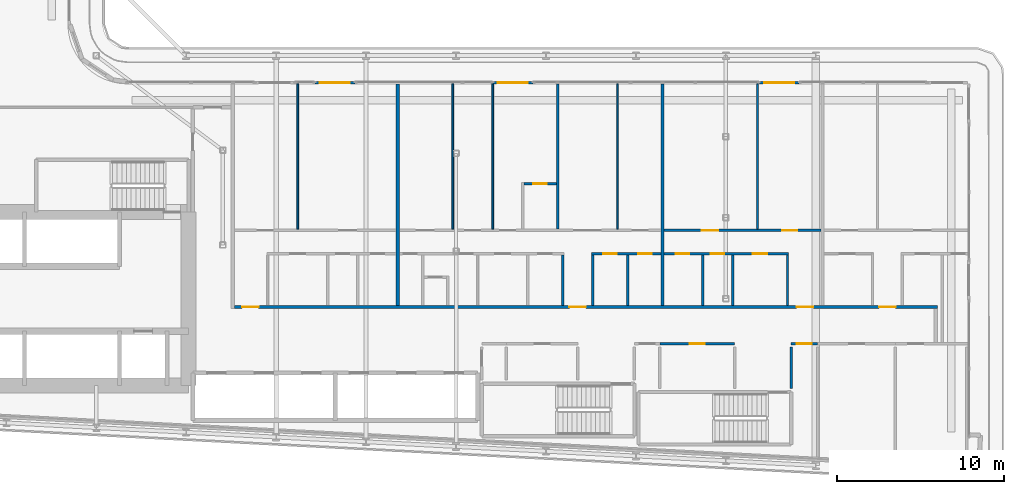
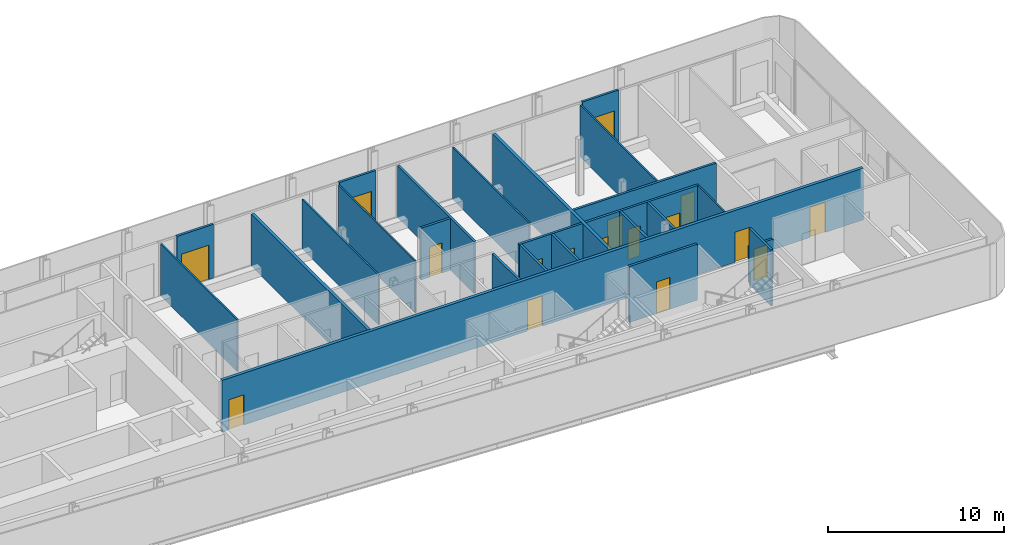
# One storey, part 16 of 28: 25 walls, 17 doors, 17 openings.
"""IFC4 building model written with IfcOpenShell, lengths in metres."""

from ifc_helpers import new_model, si_unit, direction, frame, frame_2d, origin, place, context, subcontext, project, spatial, rectangle, extrude, source, transform, mapped, material, layer, layer_set, type_object, element, fill, save


model = new_model("IFC4")

# Units and contexts
model_context = context("Model", 3, precision=1e-05, world=origin(), true_north=direction((0.0, 1.0)))
body_context = subcontext(model_context, "Body", "Model", "MODEL_VIEW")
ifc_project = project(units=[si_unit("LENGTHUNIT", "METRE"), si_unit("AREAUNIT", "SQUARE_METRE"), si_unit("VOLUMEUNIT", "CUBIC_METRE"), si_unit("PLANEANGLEUNIT", "RADIAN"), si_unit("MASSUNIT", "GRAM", prefix="KILO")], contexts=[model_context])

# Site, building, storey
site_placement = place(None, origin())
site = spatial("IfcSite", under=ifc_project, at=site_placement, CompositionType="ELEMENT")
building_placement = place(site_placement, origin())
building = spatial("IfcBuilding", under=site, at=building_placement, Name="Kheshtan School and Residences Tower", CompositionType="ELEMENT")
storey_placement = place(building_placement, frame((0.0, 0.0, 129.199951171875)))
storey = spatial("IfcBuildingStorey", under=building, at=storey_placement, Name="L30", CompositionType="ELEMENT", Elevation=129.199951171875)

# Wall, openings, doors
ifc_material_1 = material(Name="Gypsum board on steel studs with fire boards", Category="steel")
ifc_layer_1 = layer(ifc_material_1, 0.199951171875)
ifc_layer_set_1 = layer_set([ifc_layer_1], Name="Corridor wall 200")
wall_type_1 = type_object("IfcWallType", Name="Corridor wall 200", PredefinedType="PARTITIONING", material=ifc_layer_set_1)
wall_1_placement = place(storey_placement, frame((55.89990234375, 30.5, 0.0), z_axis=(0.0, 0.0, 1.0), x_axis=(1.0, 0.0, 0.0)))
wall_1 = element("IfcWall", 1, at=wall_1_placement, inside=storey, type_object=wall_type_1, Name="Partition L30-047", PredefinedType="PARTITIONING", context=body_context, shape_type="SweptSolid", body=[
    extrude(rectangle(XDim=42.2001953125, YDim=0.199951171875, at=frame_2d((21.10009765625, 0.0))), origin(), (0.0, 0.0, 1.0), 3.60009765625),
])
opening_1_placement = place(wall_1_placement, frame((0.449951171875, 0.0, 0.0)))
opening_1 = element("IfcOpeningElement", 2, at=opening_1_placement, cuts=wall_1, Name="Opening D29-003", PredefinedType="OPENING", context=body_context, shape_type="SweptSolid", body=[
    extrude(rectangle(XDim=1.0, YDim=2.10009765625, at=frame_2d((0.5, 1.050048828125))), frame((0.0, 0.10986328125, 0.0), z_axis=(0.0, -1.0, 0.0), x_axis=(1.0, 0.0, 0.0)), (0.0, 0.0, 1.0), 0.219970703125),
])
opening_2_placement = place(wall_1_placement, frame((20.10009765625, 0.0, 0.0)))
opening_2 = element("IfcOpeningElement", 3, at=opening_2_placement, cuts=wall_1, Name="Opening D29-013", PredefinedType="OPENING", context=body_context, shape_type="SweptSolid", body=[
    extrude(rectangle(XDim=1.0, YDim=2.10009765625, at=frame_2d((0.5, 1.050048828125))), frame((0.0, 0.10986328125, 0.0), z_axis=(0.0, -1.0, 0.0), x_axis=(1.0, 0.0, 0.0)), (0.0, 0.0, 1.0), 0.219970703125),
])
opening_3_placement = place(wall_1_placement, frame((33.75, 0.0, 0.0)))
opening_3 = element("IfcOpeningElement", 4, at=opening_3_placement, cuts=wall_1, Name="Opening D29-023", PredefinedType="OPENING", context=body_context, shape_type="SweptSolid", body=[
    extrude(rectangle(XDim=1.0, YDim=2.10009765625, at=frame_2d((0.5, 1.050048828125))), frame((0.0, 0.10986328125, 0.0), z_axis=(0.0, -1.0, 0.0), x_axis=(1.0, 0.0, 0.0)), (0.0, 0.0, 1.0), 0.219970703125),
])
opening_4_placement = place(wall_1_placement, frame((38.699951171875, 0.0, 0.0)))
opening_4 = element("IfcOpeningElement", 5, at=opening_4_placement, cuts=wall_1, Name="Opening D29-029", PredefinedType="OPENING", context=body_context, shape_type="SweptSolid", body=[
    extrude(rectangle(XDim=1.0, YDim=2.10009765625, at=frame_2d((0.5, 1.050048828125))), frame((0.0, 0.10986328125, 0.0), z_axis=(0.0, -1.0, 0.0), x_axis=(1.0, 0.0, 0.0)), (0.0, 0.0, 1.0), 0.219970703125),
])
ifc_material_2 = material(Name="Steel-framed fire-resisting door leaf", Category="steel")
door_type_1 = type_object("IfcDoorType", Name="Fire door FD30S 1000 x 2100", OperationType="SINGLE_SWING_LEFT", PredefinedType="DOOR", material=ifc_material_2)
shared_shape_1 = source(origin(), body_context, "Body", "SweptSolid", [
    extrude(rectangle(XDim=1.0, YDim=2.10009765625, at=frame_2d((0.5, 1.050048828125))), frame((0.0, 0.02490234375, 0.0), z_axis=(0.0, -1.0, 0.0), x_axis=(1.0, 0.0, 0.0)), (0.0, 0.0, 1.0), 0.050048828125),
])
door_1_placement = place(opening_1_placement, origin())
door_1 = element("IfcDoor", 6, at=door_1_placement, inside=storey, type_object=door_type_1, Name="Door D29-003", OperationType="SINGLE_SWING_RIGHT", OverallHeight=2.10009765625, OverallWidth=1.0, PredefinedType="DOOR", context=body_context, shape_type="MappedRepresentation", body=[
    mapped(shared_shape_1, transform((0.0, 0.0, 0.0), x_axis=(1.0, 0.0, 0.0), y_axis=(0.0, 1.0, 0.0), z_axis=(0.0, 0.0, 1.0), scale=1.0)),
])
fill(opening_1, door_1)
door_2_placement = place(opening_2_placement, origin())
door_2 = element("IfcDoor", 7, at=door_2_placement, inside=storey, type_object=door_type_1, Name="Door D29-013", OperationType="SINGLE_SWING_LEFT", OverallHeight=2.10009765625, OverallWidth=1.0, PredefinedType="DOOR", context=body_context, shape_type="MappedRepresentation", body=[
    mapped(shared_shape_1, transform((0.0, 0.0, 0.0), x_axis=(1.0, 0.0, 0.0), y_axis=(0.0, 1.0, 0.0), z_axis=(0.0, 0.0, 1.0), scale=1.0)),
])
fill(opening_2, door_2)
door_3_placement = place(opening_3_placement, origin())
door_3 = element("IfcDoor", 8, at=door_3_placement, inside=storey, type_object=door_type_1, Name="Door D29-023", OperationType="SINGLE_SWING_RIGHT", OverallHeight=2.10009765625, OverallWidth=1.0, PredefinedType="DOOR", context=body_context, shape_type="MappedRepresentation", body=[
    mapped(shared_shape_1, transform((0.0, 0.0, 0.0), x_axis=(1.0, 0.0, 0.0), y_axis=(0.0, 1.0, 0.0), z_axis=(0.0, 0.0, 1.0), scale=1.0)),
])
fill(opening_3, door_3)
door_4_placement = place(opening_4_placement, origin())
door_4 = element("IfcDoor", 9, at=door_4_placement, inside=storey, type_object=door_type_1, Name="Door D29-029", OperationType="SINGLE_SWING_LEFT", OverallHeight=2.10009765625, OverallWidth=1.0, PredefinedType="DOOR", context=body_context, shape_type="MappedRepresentation", body=[
    mapped(shared_shape_1, transform((0.0, 0.0, 0.0), x_axis=(1.0, 0.0, 0.0), y_axis=(0.0, 1.0, 0.0), z_axis=(0.0, 0.0, 1.0), scale=1.0)),
])
fill(opening_4, door_4)

# Wall, opening, door
ifc_material_3 = material(Name="Aluminium frame wall with insulated infill", Category="aluminium")
ifc_layer_2 = layer(ifc_material_3, 0.14990234375)
ifc_layer_set_2 = layer_set([ifc_layer_2], Name="Glazing frame wall 150")
wall_type_2 = type_object("IfcWallType", Name="Glazing frame wall 150", PredefinedType="SOLIDWALL", material=ifc_layer_set_2)
wall_2_placement = place(storey_placement, frame((60.72412109375, 43.97509765625, 0.0), z_axis=(0.0, 0.0, 1.0), x_axis=(1.0, 0.0, 0.0)))
wall_2 = element("IfcWall", 10, at=wall_2_placement, inside=storey, type_object=wall_type_2, Name="Balcony door wall L30 12.2", PredefinedType="SOLIDWALL", context=body_context, shape_type="SweptSolid", body=[
    extrude(rectangle(XDim=2.39990234375, YDim=0.14990234375, at=frame_2d((1.199951171875, 0.0))), origin(), (0.0, 0.0, 1.0), 3.75),
])
opening_5_placement = place(wall_2_placement, frame((0.300048828125, 0.0, 0.0)))
opening_5 = element("IfcOpeningElement", 11, at=opening_5_placement, cuts=wall_2, Name="Opening BD", PredefinedType="OPENING", context=body_context, shape_type="SweptSolid", body=[
    extrude(rectangle(XDim=1.800048828125, YDim=2.39990234375, at=frame_2d((0.89990234375, 1.199951171875))), frame((0.0, 0.0849609375, 0.0), z_axis=(0.0, -1.0, 0.0), x_axis=(1.0, 0.0, 0.0)), (0.0, 0.0, 1.0), 0.169921875),
])
ifc_material_4 = material(Name="Clear low-e glass in thermally broken aluminium frame", Category="aluminium")
door_type_2 = type_object("IfcDoorType", Name="Balcony sliding door", OperationType="SLIDING_TO_LEFT", PredefinedType="DOOR", material=ifc_material_4)
shared_shape_2 = source(origin(), body_context, "Body", "SweptSolid", [
    extrude(rectangle(XDim=1.800048828125, YDim=2.39990234375, at=frame_2d((0.89990234375, 1.199951171875))), frame((0.0, 0.02490234375, 0.0), z_axis=(0.0, -1.0, 0.0), x_axis=(1.0, 0.0, 0.0)), (0.0, 0.0, 1.0), 0.050048828125),
])
door_5_placement = place(opening_5_placement, origin())
door_5 = element("IfcDoor", 12, at=door_5_placement, inside=storey, type_object=door_type_2, Name="Balcony door L30 12.2", OperationType="SLIDING_TO_LEFT", OverallHeight=2.39990234375, OverallWidth=1.800048828125, PredefinedType="DOOR", context=body_context, shape_type="MappedRepresentation", body=[
    mapped(shared_shape_2, transform((0.0, 0.0, 0.0), x_axis=(1.0, 0.0, 0.0), y_axis=(0.0, 1.0, 0.0), z_axis=(0.0, 0.0, 1.0), scale=1.0)),
])
fill(opening_5, door_5)

wall_3_placement = place(storey_placement, frame((71.41796875, 43.97509765625, 0.0), z_axis=(0.0, 0.0, 1.0), x_axis=(1.0, 0.0, 0.0)))
wall_3 = element("IfcWall", 13, at=wall_3_placement, inside=storey, type_object=wall_type_2, Name="Balcony door wall L30 12.3", PredefinedType="SOLIDWALL", context=body_context, shape_type="SweptSolid", body=[
    extrude(rectangle(XDim=2.400146484375, YDim=0.14990234375, at=frame_2d((1.2001953125, 0.0))), origin(), (0.0, 0.0, 1.0), 3.75),
])
opening_6_placement = place(wall_3_placement, frame((0.300048828125, 0.0, 0.0)))
opening_6 = element("IfcOpeningElement", 14, at=opening_6_placement, cuts=wall_3, Name="Opening BD", PredefinedType="OPENING", context=body_context, shape_type="SweptSolid", body=[
    extrude(rectangle(XDim=1.800048828125, YDim=2.39990234375, at=frame_2d((0.89990234375, 1.199951171875))), frame((0.0, 0.0849609375, 0.0), z_axis=(0.0, -1.0, 0.0), x_axis=(1.0, 0.0, 0.0)), (0.0, 0.0, 1.0), 0.169921875),
])
door_6_placement = place(opening_6_placement, origin())
door_6 = element("IfcDoor", 15, at=door_6_placement, inside=storey, type_object=door_type_2, Name="Balcony door L30 12.3", OperationType="SLIDING_TO_LEFT", OverallHeight=2.39990234375, OverallWidth=1.800048828125, PredefinedType="DOOR", context=body_context, shape_type="MappedRepresentation", body=[
    mapped(shared_shape_2, transform((0.0, 0.0, 0.0), x_axis=(1.0, 0.0, 0.0), y_axis=(0.0, 1.0, 0.0), z_axis=(0.0, 0.0, 1.0), scale=1.0)),
])
fill(opening_6, door_6)

wall_4_placement = place(storey_placement, frame((87.406005859375, 43.97509765625, 0.0), z_axis=(0.0, 0.0, 1.0), x_axis=(1.0, 0.0, 0.0)))
wall_4 = element("IfcWall", 16, at=wall_4_placement, inside=storey, type_object=wall_type_2, Name="Balcony door wall L30 12.4", PredefinedType="SOLIDWALL", context=body_context, shape_type="SweptSolid", body=[
    extrude(rectangle(XDim=2.39990234375, YDim=0.14990234375, at=frame_2d((1.199951171875, 0.0))), origin(), (0.0, 0.0, 1.0), 3.75),
])
opening_7_placement = place(wall_4_placement, frame((0.300048828125, 0.0, 0.0)))
opening_7 = element("IfcOpeningElement", 17, at=opening_7_placement, cuts=wall_4, Name="Opening BD", PredefinedType="OPENING", context=body_context, shape_type="SweptSolid", body=[
    extrude(rectangle(XDim=1.800048828125, YDim=2.39990234375, at=frame_2d((0.89990234375, 1.199951171875))), frame((0.0, 0.0849609375, 0.0), z_axis=(0.0, -1.0, 0.0), x_axis=(1.0, 0.0, 0.0)), (0.0, 0.0, 1.0), 0.169921875),
])
door_7_placement = place(opening_7_placement, origin())
door_7 = element("IfcDoor", 18, at=door_7_placement, inside=storey, type_object=door_type_2, Name="Balcony door L30 12.4", OperationType="SLIDING_TO_LEFT", OverallHeight=2.39990234375, OverallWidth=1.800048828125, PredefinedType="DOOR", context=body_context, shape_type="MappedRepresentation", body=[
    mapped(shared_shape_2, transform((0.0, 0.0, 0.0), x_axis=(1.0, 0.0, 0.0), y_axis=(0.0, 1.0, 0.0), z_axis=(0.0, 0.0, 1.0), scale=1.0)),
])
fill(opening_7, door_7)

# Walls
ifc_material_5 = material(Name="Gypsum board on steel studs", Category="steel")
ifc_layer_3 = layer(ifc_material_5, 0.10009765625)
ifc_layer_set_3 = layer_set([ifc_layer_3], Name="Gypsum partition 100")
wall_type_3 = type_object("IfcWallType", Name="Gypsum partition 100", PredefinedType="PARTITIONING", material=ifc_layer_set_3)
wall_5_placement = place(storey_placement, frame((59.699951171875, 35.175048828125, 0.0), z_axis=(0.0, 0.0, 1.0), x_axis=(0.0, 1.0, 0.0)))
element("IfcWall", 19, at=wall_5_placement, inside=storey, type_object=wall_type_3, Name="Partition L30-051", PredefinedType="PARTITIONING", context=body_context, shape_type="SweptSolid", body=[
    extrude(rectangle(XDim=8.724853515625, YDim=0.10009765625, at=frame_2d((4.3623046875, 0.0))), origin(), (0.0, 0.0, 1.0), 3.60009765625),
])
wall_6_placement = place(storey_placement, frame((69.0, 35.175048828125, 0.0), z_axis=(0.0, 0.0, 1.0), x_axis=(0.0, 1.0, 0.0)))
element("IfcWall", 20, at=wall_6_placement, inside=storey, type_object=wall_type_3, Name="Partition L30-060", PredefinedType="PARTITIONING", context=body_context, shape_type="SweptSolid", body=[
    extrude(rectangle(XDim=8.724853515625, YDim=0.10009765625, at=frame_2d((4.3623046875, 0.0))), origin(), (0.0, 0.0, 1.0), 3.447021484375),
])
for number, where, z_axis, x_axis, name in (
    (21, (71.39990234375, 35.175048828125, 0.0), (0.0, 0.0, 1.0), (0.0, 1.0, 0.0), "Partition L30-062"),
    (22, (78.89990234375, 35.175048828125, 0.0), (0.0, 0.0, 1.0), (0.0, 1.0, 0.0), "Partition L30-070"),
    (23, (87.300048828125, 35.175048828125, 0.0), (0.0, 0.0, 1.0), (0.0, 1.0, 0.0), "Partition L30-077"),
):
    element("IfcWall", number, at=place(storey_placement, frame(where, z_axis=z_axis, x_axis=x_axis)), inside=storey, type_object=wall_type_3, Name=name, PredefinedType="PARTITIONING", context=body_context, shape_type="SweptSolid", body=[
        extrude(rectangle(XDim=8.724853515625, YDim=0.10009765625, at=frame_2d((4.3623046875, 0.0))), origin(), (0.0, 0.0, 1.0), 3.60009765625),
    ])
wall_7_placement = place(storey_placement, frame((89.10009765625, 30.60009765625, 0.0), z_axis=(0.0, 0.0, 1.0), x_axis=(0.0, 1.0, 0.0)))
element("IfcWall", 24, at=wall_7_placement, inside=storey, type_object=wall_type_3, Name="Partition L30-078", PredefinedType="PARTITIONING", context=body_context, shape_type="SweptSolid", body=[
    extrude(rectangle(XDim=3.02490234375, YDim=0.10009765625, at=frame_2d((1.512451171875, 0.0))), origin(), (0.0, 0.0, 1.0), 3.60009765625),
])

# Wall, opening, door
ifc_material_6 = material(Name="Fire-board shaft wall system")
ifc_layer_4 = layer(ifc_material_6, 0.14990234375)
ifc_layer_set_4 = layer_set([ifc_layer_4], Name="Service room wall 150")
wall_type_4 = type_object("IfcWallType", Name="Service room wall 150", PredefinedType="PARTITIONING", material=ifc_layer_set_4)
wall_8_placement = place(storey_placement, frame((81.44091796875, 28.300048828125, 0.0), z_axis=(0.0, 0.0, 1.0), x_axis=(1.0, 0.0, 0.0)))
wall_8 = element("IfcWall", 25, at=wall_8_placement, inside=storey, type_object=wall_type_4, Name="Service room wall", PredefinedType="PARTITIONING", context=body_context, shape_type="SweptSolid", body=[
    extrude(rectangle(XDim=4.47900390625, YDim=0.14990234375, at=frame_2d((2.239501953125, 0.0))), origin(), (0.0, 0.0, 1.0), 3.900146484375),
])
opening_8_placement = place(wall_8_placement, frame((1.7890625, 0.0, 0.0)))
opening_8 = element("IfcOpeningElement", 26, at=opening_8_placement, cuts=wall_8, Name="Opening SR90", PredefinedType="OPENING", context=body_context, shape_type="SweptSolid", body=[
    extrude(rectangle(XDim=0.89990234375, YDim=2.199951171875, at=frame_2d((0.449951171875, 1.10009765625))), frame((0.0, 0.0849609375, 0.0), z_axis=(0.0, -1.0, 0.0), x_axis=(1.0, 0.0, 0.0)), (0.0, 0.0, 1.0), 0.169921875),
])
ifc_material_7 = material(Name="Steel door leaf, galvanised", Category="steel")
door_type_3 = type_object("IfcDoorType", Name="Service room door 900 steel 90 min", OperationType="SINGLE_SWING_LEFT", PredefinedType="DOOR", material=ifc_material_7)
shared_shape_3 = source(origin(), body_context, "Body", "SweptSolid", [
    extrude(rectangle(XDim=0.89990234375, YDim=2.199951171875, at=frame_2d((0.449951171875, 1.10009765625))), frame((0.0, 0.02490234375, 0.0), z_axis=(0.0, -1.0, 0.0), x_axis=(1.0, 0.0, 0.0)), (0.0, 0.0, 1.0), 0.050048828125),
])
door_8_placement = place(opening_8_placement, origin())
door_8 = element("IfcDoor", 27, at=door_8_placement, inside=storey, type_object=door_type_3, Name="Service room door", OperationType="SINGLE_SWING_LEFT", OverallHeight=2.199951171875, OverallWidth=0.89990234375, PredefinedType="DOOR", context=body_context, shape_type="MappedRepresentation", body=[
    mapped(shared_shape_3, transform((0.0, 0.0, 0.0), x_axis=(1.0, 0.0, 0.0), y_axis=(0.0, 1.0, 0.0), z_axis=(0.0, 0.0, 1.0), scale=1.0)),
])
fill(opening_8, door_8)

wall_9_placement = place(storey_placement, frame((89.320068359375, 28.300048828125, 0.0), z_axis=(0.0, 0.0, 1.0), x_axis=(1.0, 0.0, 0.0)))
wall_9 = element("IfcWall", 28, at=wall_9_placement, inside=storey, type_object=wall_type_4, Name="Service room wall", PredefinedType="PARTITIONING", context=body_context, shape_type="SweptSolid", body=[
    extrude(rectangle(XDim=1.594970703125, YDim=0.14990234375, at=frame_2d((0.79736328125, 0.0))), origin(), (0.0, 0.0, 1.0), 2.5),
])
opening_9_placement = place(wall_9_placement, frame((0.347900390625, 0.0, 0.0)))
opening_9 = element("IfcOpeningElement", 29, at=opening_9_placement, cuts=wall_9, Name="Opening SR90", PredefinedType="OPENING", context=body_context, shape_type="SweptSolid", body=[
    extrude(rectangle(XDim=0.89990234375, YDim=2.199951171875, at=frame_2d((0.449951171875, 1.10009765625))), frame((0.0, 0.0849609375, 0.0), z_axis=(0.0, -1.0, 0.0), x_axis=(1.0, 0.0, 0.0)), (0.0, 0.0, 1.0), 0.169921875),
])
door_9_placement = place(opening_9_placement, origin())
door_9 = element("IfcDoor", 30, at=door_9_placement, inside=storey, type_object=door_type_3, Name="Service room door", OperationType="SINGLE_SWING_RIGHT", OverallHeight=2.199951171875, OverallWidth=0.89990234375, PredefinedType="DOOR", context=body_context, shape_type="MappedRepresentation", body=[
    mapped(shared_shape_3, transform((0.0, 0.0, 0.0), x_axis=(1.0, 0.0, 0.0), y_axis=(0.0, 1.0, 0.0), z_axis=(0.0, 0.0, 1.0), scale=1.0)),
])
fill(opening_9, door_9)

# Walls
wall_10_placement = place(storey_placement, frame((89.320068359375, 25.6201171875, 0.0), z_axis=(0.0, 0.0, 1.0), x_axis=(0.0, 1.0, 0.0)))
element("IfcWall", 31, at=wall_10_placement, inside=storey, type_object=wall_type_4, Name="Service room wall", PredefinedType="PARTITIONING", context=body_context, shape_type="SweptSolid", body=[
    extrude(rectangle(XDim=2.48486328125, YDim=0.14990234375, at=frame_2d((1.242431640625, 0.0))), origin(), (0.0, 0.0, 1.0), 3.900146484375),
])
ifc_material_8 = material(Name="Twin gypsum board on steel studs with mineral wool", Category="steel")
ifc_layer_5 = layer(ifc_material_8, 0.199951171875)
ifc_layer_set_5 = layer_set([ifc_layer_5], Name="Unit demising wall 200")
wall_type_5 = type_object("IfcWallType", Name="Unit demising wall 200", PredefinedType="PARTITIONING", material=ifc_layer_set_5)
for number, where, z_axis, x_axis, name in (
    (32, (65.699951171875, 30.60009765625, 0.0), (0.0, 0.0, 1.0), (0.0, 1.0, 0.0), "Partition L30-054"),
    (33, (81.60009765625, 30.60009765625, 0.0), (0.0, 0.0, 1.0), (0.0, 1.0, 0.0), "Partition L30-072"),
):
    element("IfcWall", number, at=place(storey_placement, frame(where, z_axis=z_axis, x_axis=x_axis)), inside=storey, type_object=wall_type_5, Name=name, PredefinedType="PARTITIONING", context=body_context, shape_type="SweptSolid", body=[
        extrude(rectangle(XDim=13.2998046875, YDim=0.199951171875, at=frame_2d((6.64990234375, 0.0))), origin(), (0.0, 0.0, 1.0), 3.60009765625),
    ])

# Wall, opening, door
ifc_material_9 = material(Name="Moisture-resistant gypsum board on steel studs", Category="steel")
ifc_layer_6 = layer(ifc_material_9, 0.14990234375)
ifc_layer_set_6 = layer_set([ifc_layer_6], Name="Wet-room partition 150")
wall_type_6 = type_object("IfcWallType", Name="Wet-room partition 150", PredefinedType="PARTITIONING", material=ifc_layer_set_6)
wall_11_placement = place(storey_placement, frame((73.27490234375, 37.89990234375, 0.0), z_axis=(0.0, 0.0, 1.0), x_axis=(1.0, 0.0, 0.0)))
wall_11 = element("IfcWall", 34, at=wall_11_placement, inside=storey, type_object=wall_type_6, Name="Partition L30-064", PredefinedType="PARTITIONING", context=body_context, shape_type="SweptSolid", body=[
    extrude(rectangle(XDim=1.9501953125, YDim=0.14990234375, at=frame_2d((0.97509765625, 0.0))), origin(), (0.0, 0.0, 1.0), 3.60009765625),
])
opening_10_placement = place(wall_11_placement, frame((0.574951171875, 0.0, 0.0)))
opening_10 = element("IfcOpeningElement", 35, at=opening_10_placement, cuts=wall_11, Name="Opening D29-012", PredefinedType="OPENING", context=body_context, shape_type="SweptSolid", body=[
    extrude(rectangle(XDim=0.800048828125, YDim=2.10009765625, at=frame_2d((0.39990234375, 1.050048828125))), frame((0.0, 0.0849609375, 0.0), z_axis=(0.0, -1.0, 0.0), x_axis=(1.0, 0.0, 0.0)), (0.0, 0.0, 1.0), 0.169921875),
])
ifc_material_10 = material(Name="Veneered timber door leaf", Category="wood")
door_type_4 = type_object("IfcDoorType", Name="Door 800 x 2100", OperationType="SINGLE_SWING_LEFT", PredefinedType="DOOR", material=ifc_material_10)
shared_shape_4 = source(origin(), body_context, "Body", "SweptSolid", [
    extrude(rectangle(XDim=0.800048828125, YDim=2.10009765625, at=frame_2d((0.39990234375, 1.050048828125))), frame((0.0, 0.02490234375, 0.0), z_axis=(0.0, -1.0, 0.0), x_axis=(1.0, 0.0, 0.0)), (0.0, 0.0, 1.0), 0.050048828125),
])
door_10_placement = place(opening_10_placement, origin())
door_10 = element("IfcDoor", 36, at=door_10_placement, inside=storey, type_object=door_type_4, Name="Door D29-012", OperationType="SINGLE_SWING_LEFT", OverallHeight=2.10009765625, OverallWidth=0.800048828125, PredefinedType="DOOR", context=body_context, shape_type="MappedRepresentation", body=[
    mapped(shared_shape_4, transform((0.0, 0.0, 0.0), x_axis=(1.0, 0.0, 0.0), y_axis=(0.0, 1.0, 0.0), z_axis=(0.0, 0.0, 1.0), scale=1.0)),
])
fill(opening_10, door_10)

# Walls
wall_12_placement = place(storey_placement, frame((75.300048828125, 35.175048828125, 0.0), z_axis=(0.0, 0.0, 1.0), x_axis=(0.0, 1.0, 0.0)))
element("IfcWall", 37, at=wall_12_placement, inside=storey, type_object=wall_type_6, Name="Partition L30-066", PredefinedType="PARTITIONING", context=body_context, shape_type="SweptSolid", body=[
    extrude(rectangle(XDim=8.724853515625, YDim=0.14990234375, at=frame_2d((4.3623046875, 0.0))), origin(), (0.0, 0.0, 1.0), 3.60009765625),
])
wall_13_placement = place(storey_placement, frame((75.60009765625, 30.60009765625, 0.0), z_axis=(0.0, 0.0, 1.0), x_axis=(0.0, 1.0, 0.0)))
element("IfcWall", 38, at=wall_13_placement, inside=storey, type_object=wall_type_6, Name="Partition L30-067", PredefinedType="PARTITIONING", context=body_context, shape_type="SweptSolid", body=[
    extrude(rectangle(XDim=3.02490234375, YDim=0.14990234375, at=frame_2d((1.512451171875, 0.0))), origin(), (0.0, 0.0, 1.0), 3.60009765625),
])

# Wall, openings, doors
wall_14_placement = place(storey_placement, frame((77.324951171875, 33.699951171875, 0.0), z_axis=(0.0, 0.0, 1.0), x_axis=(1.0, 0.0, 0.0)))
wall_14 = element("IfcWall", 39, at=wall_14_placement, inside=storey, type_object=wall_type_6, Name="Partition L30-068", PredefinedType="PARTITIONING", context=body_context, shape_type="SweptSolid", body=[
    extrude(rectangle(XDim=4.175048828125, YDim=0.14990234375, at=frame_2d((2.08740234375, 0.0))), origin(), (0.0, 0.0, 1.0), 3.60009765625),
])
opening_11_placement = place(wall_14_placement, frame((0.72509765625, 0.0, 0.0)))
opening_11 = element("IfcOpeningElement", 40, at=opening_11_placement, cuts=wall_14, Name="Opening D29-008", PredefinedType="OPENING", context=body_context, shape_type="SweptSolid", body=[
    extrude(rectangle(XDim=0.800048828125, YDim=2.10009765625, at=frame_2d((0.39990234375, 1.050048828125))), frame((0.0, 0.0849609375, 0.0), z_axis=(0.0, -1.0, 0.0), x_axis=(1.0, 0.0, 0.0)), (0.0, 0.0, 1.0), 0.169921875),
])
opening_12_placement = place(wall_14_placement, frame((2.824951171875, 0.0, 0.0)))
opening_12 = element("IfcOpeningElement", 41, at=opening_12_placement, cuts=wall_14, Name="Opening D29-011", PredefinedType="OPENING", context=body_context, shape_type="SweptSolid", body=[
    extrude(rectangle(XDim=0.800048828125, YDim=2.10009765625, at=frame_2d((0.39990234375, 1.050048828125))), frame((0.0, 0.0849609375, 0.0), z_axis=(0.0, -1.0, 0.0), x_axis=(1.0, 0.0, 0.0)), (0.0, 0.0, 1.0), 0.169921875),
])
door_11_placement = place(opening_11_placement, origin())
door_11 = element("IfcDoor", 42, at=door_11_placement, inside=storey, type_object=door_type_4, Name="Door D29-008", OperationType="SINGLE_SWING_RIGHT", OverallHeight=2.10009765625, OverallWidth=0.800048828125, PredefinedType="DOOR", context=body_context, shape_type="MappedRepresentation", body=[
    mapped(shared_shape_4, transform((0.0, 0.0, 0.0), x_axis=(1.0, 0.0, 0.0), y_axis=(0.0, 1.0, 0.0), z_axis=(0.0, 0.0, 1.0), scale=1.0)),
])
fill(opening_11, door_11)
door_12_placement = place(opening_12_placement, origin())
door_12 = element("IfcDoor", 43, at=door_12_placement, inside=storey, type_object=door_type_4, Name="Door D29-011", OperationType="SINGLE_SWING_LEFT", OverallHeight=2.10009765625, OverallWidth=0.800048828125, PredefinedType="DOOR", context=body_context, shape_type="MappedRepresentation", body=[
    mapped(shared_shape_4, transform((0.0, 0.0, 0.0), x_axis=(1.0, 0.0, 0.0), y_axis=(0.0, 1.0, 0.0), z_axis=(0.0, 0.0, 1.0), scale=1.0)),
])
fill(opening_12, door_12)

# Walls
for number, where, z_axis, x_axis, name in (
    (44, (77.39990234375, 30.60009765625, 0.0), (0.0, 0.0, 1.0), (0.0, 1.0, 0.0), "Partition L30-069"),
    (45, (79.5, 30.60009765625, 0.0), (0.0, 0.0, 1.0), (0.0, 1.0, 0.0), "Partition L30-071"),
):
    element("IfcWall", number, at=place(storey_placement, frame(where, z_axis=z_axis, x_axis=x_axis)), inside=storey, type_object=wall_type_6, Name=name, PredefinedType="PARTITIONING", context=body_context, shape_type="SweptSolid", body=[
        extrude(rectangle(XDim=3.02490234375, YDim=0.14990234375, at=frame_2d((1.512451171875, 0.0))), origin(), (0.0, 0.0, 1.0), 3.60009765625),
    ])

# Wall, openings, doors
wall_15_placement = place(storey_placement, frame((81.699951171875, 33.699951171875, 0.0), z_axis=(0.0, 0.0, 1.0), x_axis=(1.0, 0.0, 0.0)))
wall_15 = element("IfcWall", 46, at=wall_15_placement, inside=storey, type_object=wall_type_6, Name="Partition L30-073", PredefinedType="PARTITIONING", context=body_context, shape_type="SweptSolid", body=[
    extrude(rectangle(XDim=7.449951171875, YDim=0.14990234375, at=frame_2d((3.72509765625, 0.0))), origin(), (0.0, 0.0, 1.0), 3.60009765625),
])
opening_13_placement = place(wall_15_placement, frame((0.699951171875, 0.0, 0.0)))
opening_13 = element("IfcOpeningElement", 47, at=opening_13_placement, cuts=wall_15, Name="Opening D29-021", PredefinedType="OPENING", context=body_context, shape_type="SweptSolid", body=[
    extrude(rectangle(XDim=0.800048828125, YDim=2.10009765625, at=frame_2d((0.39990234375, 1.050048828125))), frame((0.0, 0.0849609375, 0.0), z_axis=(0.0, -1.0, 0.0), x_axis=(1.0, 0.0, 0.0)), (0.0, 0.0, 1.0), 0.169921875),
])
opening_14_placement = place(wall_15_placement, frame((5.300048828125, 0.0, 0.0)))
opening_14 = element("IfcOpeningElement", 48, at=opening_14_placement, cuts=wall_15, Name="Opening D29-024", PredefinedType="OPENING", context=body_context, shape_type="SweptSolid", body=[
    extrude(rectangle(XDim=0.89990234375, YDim=2.10009765625, at=frame_2d((0.449951171875, 1.050048828125))), frame((0.0, 0.0849609375, 0.0), z_axis=(0.0, -1.0, 0.0), x_axis=(1.0, 0.0, 0.0)), (0.0, 0.0, 1.0), 0.169921875),
])
opening_15_placement = place(wall_15_placement, frame((2.800048828125, 0.0, 0.0)))
opening_15 = element("IfcOpeningElement", 49, at=opening_15_placement, cuts=wall_15, Name="Opening D29-026", PredefinedType="OPENING", context=body_context, shape_type="SweptSolid", body=[
    extrude(rectangle(XDim=0.800048828125, YDim=2.10009765625, at=frame_2d((0.39990234375, 1.050048828125))), frame((0.0, 0.0849609375, 0.0), z_axis=(0.0, -1.0, 0.0), x_axis=(1.0, 0.0, 0.0)), (0.0, 0.0, 1.0), 0.169921875),
])
door_13_placement = place(opening_13_placement, origin())
door_13 = element("IfcDoor", 50, at=door_13_placement, inside=storey, type_object=door_type_4, Name="Door D29-021", OperationType="SINGLE_SWING_RIGHT", OverallHeight=2.10009765625, OverallWidth=0.800048828125, PredefinedType="DOOR", context=body_context, shape_type="MappedRepresentation", body=[
    mapped(shared_shape_4, transform((0.0, 0.0, 0.0), x_axis=(1.0, 0.0, 0.0), y_axis=(0.0, 1.0, 0.0), z_axis=(0.0, 0.0, 1.0), scale=1.0)),
])
fill(opening_13, door_13)
door_14_placement = place(opening_15_placement, origin())
door_14 = element("IfcDoor", 51, at=door_14_placement, inside=storey, type_object=door_type_4, Name="Door D29-026", OperationType="SINGLE_SWING_LEFT", OverallHeight=2.10009765625, OverallWidth=0.800048828125, PredefinedType="DOOR", context=body_context, shape_type="MappedRepresentation", body=[
    mapped(shared_shape_4, transform((0.0, 0.0, 0.0), x_axis=(1.0, 0.0, 0.0), y_axis=(0.0, 1.0, 0.0), z_axis=(0.0, 0.0, 1.0), scale=1.0)),
])
fill(opening_15, door_14)
door_type_5 = type_object("IfcDoorType", Name="Door 900 x 2100", OperationType="SINGLE_SWING_LEFT", PredefinedType="DOOR", material=ifc_material_10)
shared_shape_5 = source(origin(), body_context, "Body", "SweptSolid", [
    extrude(rectangle(XDim=0.89990234375, YDim=2.10009765625, at=frame_2d((0.449951171875, 1.050048828125))), frame((0.0, 0.02490234375, 0.0), z_axis=(0.0, -1.0, 0.0), x_axis=(1.0, 0.0, 0.0)), (0.0, 0.0, 1.0), 0.050048828125),
])
door_15_placement = place(opening_14_placement, origin())
door_15 = element("IfcDoor", 52, at=door_15_placement, inside=storey, type_object=door_type_5, Name="Door D29-024", OperationType="SINGLE_SWING_RIGHT", OverallHeight=2.10009765625, OverallWidth=0.89990234375, PredefinedType="DOOR", context=body_context, shape_type="MappedRepresentation", body=[
    mapped(shared_shape_5, transform((0.0, 0.0, 0.0), x_axis=(1.0, 0.0, 0.0), y_axis=(0.0, 1.0, 0.0), z_axis=(0.0, 0.0, 1.0), scale=1.0)),
])
fill(opening_14, door_15)

wall_16_placement = place(storey_placement, frame((81.699951171875, 35.10009765625, 0.0), z_axis=(0.0, 0.0, 1.0), x_axis=(1.0, 0.0, 0.0)))
wall_16 = element("IfcWall", 53, at=wall_16_placement, inside=storey, type_object=wall_type_6, Name="Partition L30-074", PredefinedType="PARTITIONING", context=body_context, shape_type="SweptSolid", body=[
    extrude(rectangle(XDim=9.400146484375, YDim=0.14990234375, at=frame_2d((4.7001953125, 0.0))), origin(), (0.0, 0.0, 1.0), 3.60009765625),
])
opening_16_placement = place(wall_16_placement, frame((7.10009765625, 0.0, 0.0)))
opening_16 = element("IfcOpeningElement", 54, at=opening_16_placement, cuts=wall_16, Name="Opening D29-022", PredefinedType="OPENING", context=body_context, shape_type="SweptSolid", body=[
    extrude(rectangle(XDim=0.89990234375, YDim=2.10009765625, at=frame_2d((0.449951171875, 1.050048828125))), frame((0.0, 0.0849609375, 0.0), z_axis=(0.0, -1.0, 0.0), x_axis=(1.0, 0.0, 0.0)), (0.0, 0.0, 1.0), 0.169921875),
])
opening_17_placement = place(wall_16_placement, frame((2.25, 0.0, 0.0)))
opening_17 = element("IfcOpeningElement", 55, at=opening_17_placement, cuts=wall_16, Name="Opening D29-025", PredefinedType="OPENING", context=body_context, shape_type="SweptSolid", body=[
    extrude(rectangle(XDim=1.0, YDim=2.10009765625, at=frame_2d((0.5, 1.050048828125))), frame((0.0, 0.0849609375, 0.0), z_axis=(0.0, -1.0, 0.0), x_axis=(1.0, 0.0, 0.0)), (0.0, 0.0, 1.0), 0.169921875),
])
door_type_6 = type_object("IfcDoorType", Name="Door 1000 x 2100", OperationType="SINGLE_SWING_LEFT", PredefinedType="DOOR", material=ifc_material_10)
shared_shape_6 = source(origin(), body_context, "Body", "SweptSolid", [
    extrude(rectangle(XDim=1.0, YDim=2.10009765625, at=frame_2d((0.5, 1.050048828125))), frame((0.0, 0.02490234375, 0.0), z_axis=(0.0, -1.0, 0.0), x_axis=(1.0, 0.0, 0.0)), (0.0, 0.0, 1.0), 0.050048828125),
])
door_16_placement = place(opening_17_placement, origin())
door_16 = element("IfcDoor", 56, at=door_16_placement, inside=storey, type_object=door_type_6, Name="Door D29-025", OperationType="SINGLE_SWING_LEFT", OverallHeight=2.10009765625, OverallWidth=1.0, PredefinedType="DOOR", context=body_context, shape_type="MappedRepresentation", body=[
    mapped(shared_shape_6, transform((0.0, 0.0, 0.0), x_axis=(1.0, 0.0, 0.0), y_axis=(0.0, 1.0, 0.0), z_axis=(0.0, 0.0, 1.0), scale=1.0)),
])
fill(opening_17, door_16)
door_17_placement = place(opening_16_placement, origin())
door_17 = element("IfcDoor", 57, at=door_17_placement, inside=storey, type_object=door_type_5, Name="Door D29-022", OperationType="SINGLE_SWING_LEFT", OverallHeight=2.10009765625, OverallWidth=0.89990234375, PredefinedType="DOOR", context=body_context, shape_type="MappedRepresentation", body=[
    mapped(shared_shape_5, transform((0.0, 0.0, 0.0), x_axis=(1.0, 0.0, 0.0), y_axis=(0.0, 1.0, 0.0), z_axis=(0.0, 0.0, 1.0), scale=1.0)),
])
fill(opening_16, door_17)

# Walls
for number, where, z_axis, x_axis, name in (
    (58, (84.0, 30.60009765625, 0.0), (0.0, 0.0, 1.0), (0.0, 1.0, 0.0), "Partition L30-075"),
    (59, (85.800048828125, 30.60009765625, 0.0), (0.0, 0.0, 1.0), (0.0, 1.0, 0.0), "Partition L30-076"),
):
    element("IfcWall", number, at=place(storey_placement, frame(where, z_axis=z_axis, x_axis=x_axis)), inside=storey, type_object=wall_type_6, Name=name, PredefinedType="PARTITIONING", context=body_context, shape_type="SweptSolid", body=[
        extrude(rectangle(XDim=3.02490234375, YDim=0.14990234375, at=frame_2d((1.512451171875, 0.0))), origin(), (0.0, 0.0, 1.0), 3.60009765625),
    ])

save(model, "model.ifc")
